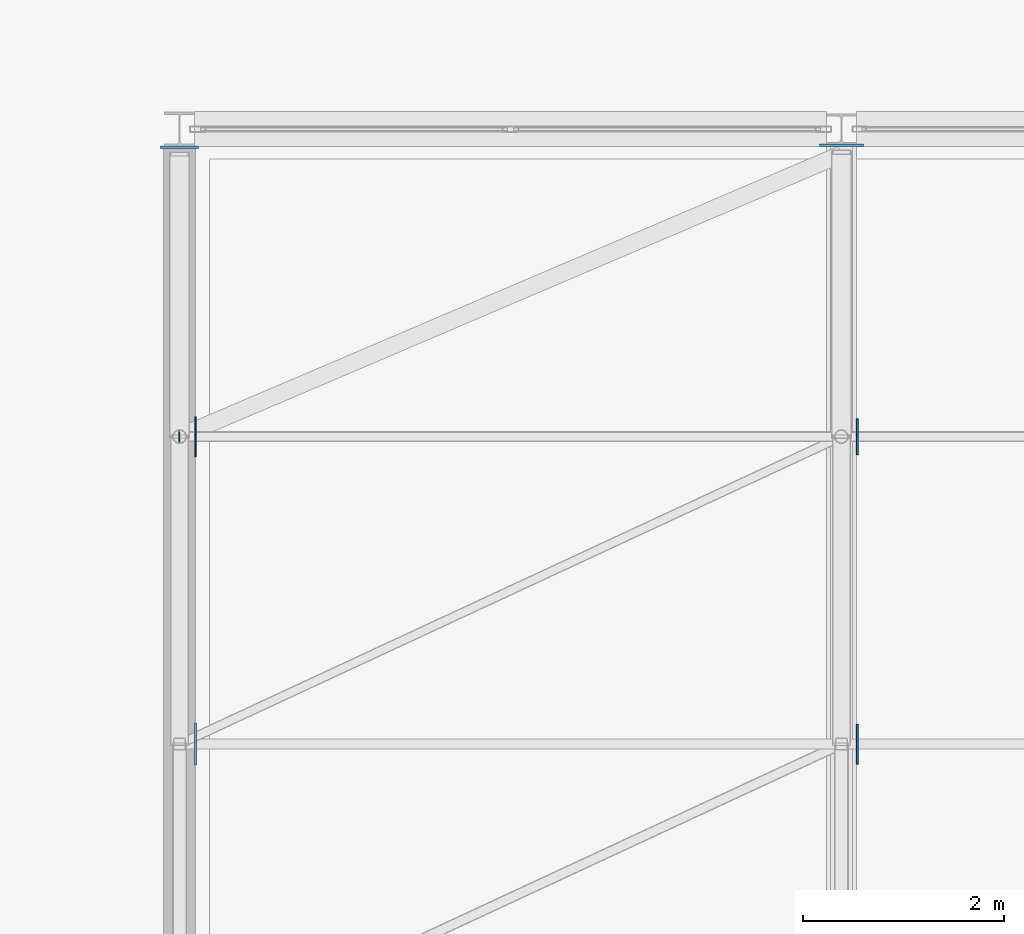
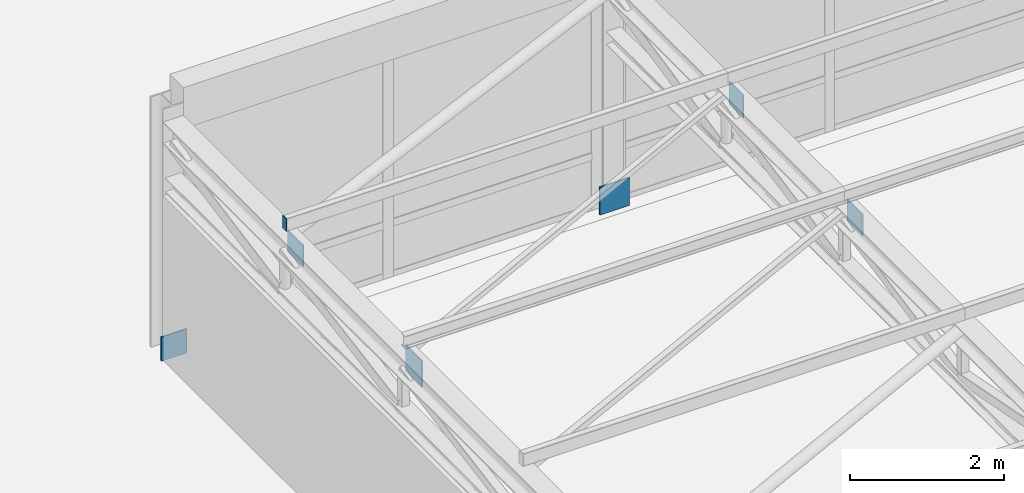
# One storey, part 55 of 92: 7 plates.
"""IFC4 building model written with IfcOpenShell, lengths in metres."""

from ifc_helpers import new_model, si_unit, direction, frame, origin, origin_2d, place, context, subcontext, project, spatial, rectangle, extrude, material, layer, layer_set, type_object, element, save


model = new_model("IFC4")

# Units and contexts
model_context = context("Model", 3, precision=1e-05, world=origin(), true_north=direction((0.0, 1.0)))
body_context = subcontext(model_context, "Body", "Model", "MODEL_VIEW")
ifc_project = project(units=[si_unit("LENGTHUNIT", "METRE"), si_unit("AREAUNIT", "SQUARE_METRE"), si_unit("VOLUMEUNIT", "CUBIC_METRE"), si_unit("PLANEANGLEUNIT", "RADIAN"), si_unit("MASSUNIT", "GRAM", prefix="KILO")], contexts=[model_context])

# Site, building, storey
site_placement = place(None, origin())
site = spatial("IfcSite", under=ifc_project, at=site_placement, CompositionType="ELEMENT")
building_placement = place(site_placement, origin())
building = spatial("IfcBuilding", under=site, at=building_placement, Name="Kernevlak Ridge Housing Community", CompositionType="ELEMENT")
storey_placement = place(building_placement, frame((0.0, 0.0, 4.199951171875)))
storey = spatial("IfcBuildingStorey", under=building, at=storey_placement, Name="L01", CompositionType="ELEMENT", Elevation=4.199951171875)

# Plates
ifc_material = material(Name="Steel S355", Category="steel")
ifc_layer_1 = layer(ifc_material, 0.010009765625, Name="Steel S355")
ifc_layer_set_1 = layer_set([ifc_layer_1], Name="Steel S355")
plate_type_1 = type_object("IfcPlateType", Name="EP-01", PredefinedType="USERDEFINED", material=ifc_layer_set_1)
plate_1_placement = place(storey_placement, frame((64.195068359375, 65.13330078125, 3.76025390625), z_axis=(0.0, 0.0, 1.0), x_axis=(1.0, 0.0, 0.0)))
element("IfcPlate", 1, at=plate_1_placement, inside=storey, type_object=plate_type_1, Name="Community Hall purlin end cap plate 1.6", ObjectType="STIFFENER_PLATE", PredefinedType="USERDEFINED", context=body_context, shape_type="SweptSolid", body=[
    extrude(rectangle(XDim=0.010009765625, YDim=0.10009765625, at=origin_2d()), origin(), (0.0, 0.0, 1.0), 0.199951171875),
])
ifc_layer_2 = layer(ifc_material, 0.01611328125, Name="Steel S355")
ifc_layer_set_2 = layer_set([ifc_layer_2], Name="Steel S355")
plate_type_2 = type_object("IfcPlateType", Name="GP-01", PredefinedType="USERDEFINED", material=ifc_layer_set_2)
plate_2_placement = place(storey_placement, frame((70.9580078125, 65.13330078125, 3.27001953125), z_axis=(0.0, 0.0, 1.0), x_axis=(1.0, 0.0, 0.0)))
element("IfcPlate", 2, at=plate_2_placement, inside=storey, type_object=plate_type_2, Name="Roof truss 2 node gusset plate 5", ObjectType="GUSSET_PLATE", PredefinedType="USERDEFINED", context=body_context, shape_type="SweptSolid", body=[
    extrude(rectangle(XDim=0.01611328125, YDim=0.360107421875, at=origin_2d()), origin(), (0.0, 0.0, 1.0), 0.360107421875),
])
ifc_layer_3 = layer(ifc_material, 0.02001953125, Name="Steel S355")
ifc_layer_set_3 = layer_set([ifc_layer_3], Name="Steel S355")
plate_type_3 = type_object("IfcPlateType", Name="GP-02", PredefinedType="USERDEFINED", material=ifc_layer_set_3)
plate_3_placement = place(storey_placement, frame((64.360107421875, 62.066650390625, 3.2001953125), z_axis=(0.0, 0.0, 1.0), x_axis=(1.0, 0.0, 0.0)))
element("IfcPlate", 3, at=plate_3_placement, inside=storey, type_object=plate_type_3, Name="Roof truss 1 node gusset plate 4", ObjectType="GUSSET_PLATE", PredefinedType="USERDEFINED", context=body_context, shape_type="SweptSolid", body=[
    extrude(rectangle(XDim=0.02001953125, YDim=0.419921875, at=origin_2d()), origin(), (0.0, 0.0, 1.0), 0.419921875),
])
ifc_layer_4 = layer(ifc_material, 0.01806640625, Name="Steel S355")
ifc_layer_set_4 = layer_set([ifc_layer_4], Name="Steel S355")
plate_type_4 = type_object("IfcPlateType", Name="GP-03", PredefinedType="USERDEFINED", material=ifc_layer_set_4)
for number, where, z_axis, x_axis, name in (
    (4, (64.35888671875, 65.13330078125, 3.240234375), (0.0, 0.0, 1.0), (1.0, 0.0, 0.0), "Roof truss 1 node gusset plate 5"),
    (5, (70.958984375, 62.066650390625, 3.27978515625), (0.0, 0.0, 1.0), (1.0, 0.0, 0.0), "Roof truss 2 node gusset plate 4"),
):
    element("IfcPlate", number, at=place(storey_placement, frame(where, z_axis=z_axis, x_axis=x_axis)), inside=storey, type_object=plate_type_4, Name=name, ObjectType="GUSSET_PLATE", PredefinedType="USERDEFINED", context=body_context, shape_type="SweptSolid", body=[
        extrude(rectangle(XDim=0.01806640625, YDim=0.39990234375, at=origin_2d()), origin(), (0.0, 0.0, 1.0), 0.340087890625),
    ])
ifc_layer_5 = layer(ifc_material, 0.02197265625, Name="Steel S355")
ifc_layer_set_5 = layer_set([ifc_layer_5], Name="Steel S355")
plate_type_5 = type_object("IfcPlateType", Name="GP-05", PredefinedType="USERDEFINED", material=ifc_layer_set_5)
plate_4_placement = place(storey_placement, frame((64.199951171875, 68.01904296875, 0.0), z_axis=(0.0, 0.0, 1.0), x_axis=(1.0, 0.0, 0.0)))
element("IfcPlate", 6, at=plate_4_placement, inside=storey, type_object=plate_type_5, Name="Truss column bearing stiffener plate 1.2", ObjectType="STIFFENER_PLATE", PredefinedType="USERDEFINED", context=body_context, shape_type="SweptSolid", body=[
    extrude(rectangle(XDim=0.3798828125, YDim=0.02197265625, at=origin_2d()), origin(), (0.0, 0.0, 1.0), 0.3798828125),
])
ifc_layer_6 = layer(ifc_material, 0.02490234375, Name="Steel S355")
ifc_layer_set_6 = layer_set([ifc_layer_6], Name="Steel S355")
plate_type_6 = type_object("IfcPlateType", Name="GP-06", PredefinedType="USERDEFINED", material=ifc_layer_set_6)
plate_5_placement = place(storey_placement, frame((70.800048828125, 68.03759765625, 0.0), z_axis=(0.0, 0.0, 1.0), x_axis=(1.0, 0.0, 0.0)))
element("IfcPlate", 7, at=plate_5_placement, inside=storey, type_object=plate_type_6, Name="Truss column bearing stiffener plate 2.2", ObjectType="STIFFENER_PLATE", PredefinedType="USERDEFINED", context=body_context, shape_type="SweptSolid", body=[
    extrude(rectangle(XDim=0.43994140625, YDim=0.02490234375, at=origin_2d()), origin(), (0.0, 0.0, 1.0), 0.43994140625),
])

save(model, "model.ifc")
